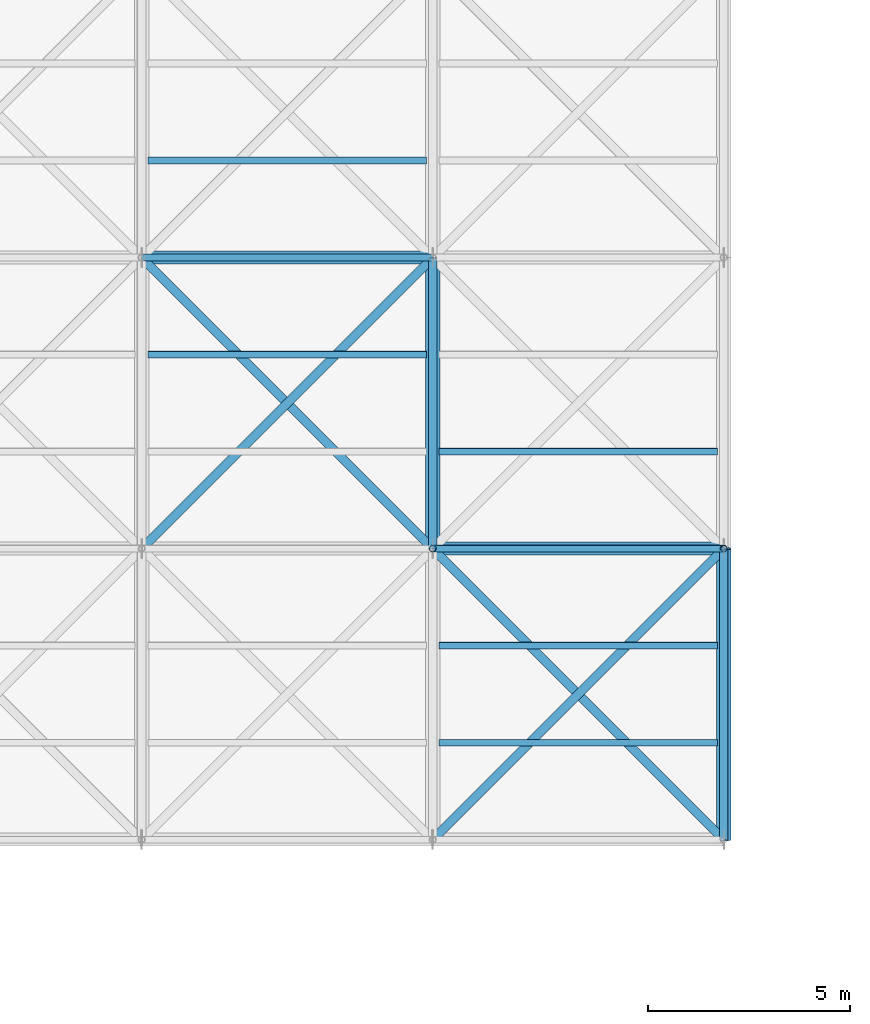
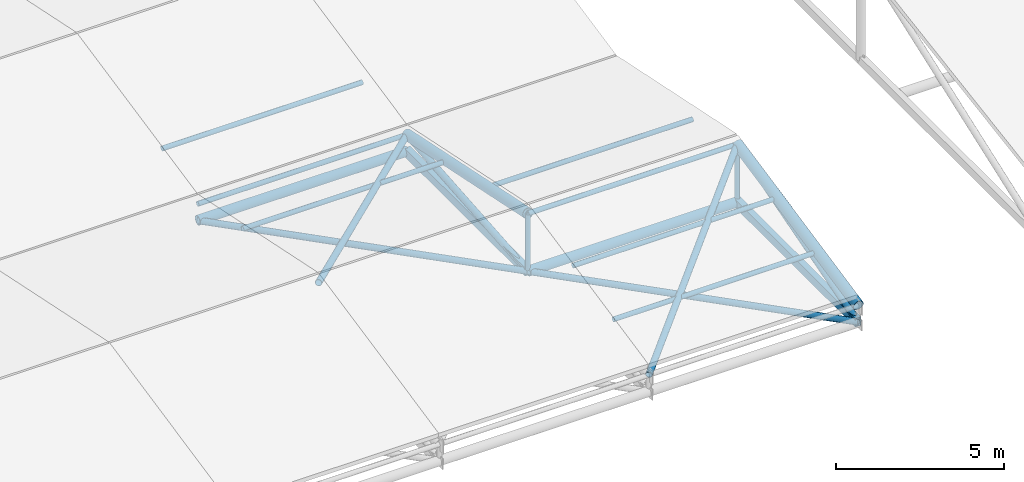
# One storey, part 31 of 72: 17 members, 4 beams.
"""IFC4 building model written with IfcOpenShell, lengths in metres."""

from ifc_helpers import new_model, si_unit, direction, frame, origin, origin_2d, place, context, subcontext, project, spatial, hollow_rectangle, hollow_circle, extrude, material, material_profile, profile_set, type_object, element, save


model = new_model("IFC4")

# Units and contexts
model_context = context("Model", 3, precision=1e-05, world=origin(), true_north=direction((0.0, 1.0)))
body_context = subcontext(model_context, "Body", "Model", "MODEL_VIEW")
ifc_project = project(units=[si_unit("LENGTHUNIT", "METRE"), si_unit("AREAUNIT", "SQUARE_METRE"), si_unit("VOLUMEUNIT", "CUBIC_METRE"), si_unit("PLANEANGLEUNIT", "RADIAN"), si_unit("MASSUNIT", "GRAM", prefix="KILO")], contexts=[model_context])

# Site, building, storey
site_placement = place(None, origin())
site = spatial("IfcSite", under=ifc_project, at=site_placement, CompositionType="ELEMENT")
building_placement = place(site_placement, origin())
building = spatial("IfcBuilding", under=site, at=building_placement, Name="Vaelcorin Mobility Hub", CompositionType="ELEMENT")
storey_placement = place(building_placement, frame((0.0, 0.0, 25.800048828125)))
storey = spatial("IfcBuildingStorey", under=building, at=storey_placement, Name="RF", CompositionType="ELEMENT", Elevation=25.800048828125)

# Members
ifc_material = material(Name="Steel ASTM A500 Grade C", Category="steel")
ifc_material_profile_1 = material_profile(ifc_material, hollow_circle(Radius=0.161865234375, WallThickness=0.0126953125, at=origin_2d()), Name="HSS12.750X0.500")
ifc_profile_set_1 = profile_set([ifc_material_profile_1], Name="Steel ASTM A500 Grade C")
member_type_1 = type_object("IfcMemberType", Name="SF-CHORD-12", PredefinedType="CHORD", material=ifc_profile_set_1)
for number, where, z_axis, x_axis, name in (
    (1, (100.800048828125, 98.39990234375, -2.10009765625), (1.0, 0.0, 0.0), (0.0, 1.0, 0.0), "Sports Truss Lower Tie Strut 10-2"),
    (2, (108.0, 91.199951171875, -2.10009765625), (1.0, 0.0, 0.0), (0.0, 1.0, 0.0), "Sports Truss Lower Tie Strut 11-1"),
):
    element("IfcMember", number, at=place(storey_placement, frame(where, z_axis=z_axis, x_axis=x_axis)), inside=storey, type_object=member_type_1, Name=name, PredefinedType="CHORD", context=body_context, shape_type="SweptSolid", body=[
        extrude(hollow_circle(Radius=0.161865234375, WallThickness=0.0126953125, at=origin_2d()), origin(), (0.0, 0.0, 1.0), 7.199951171875),
    ])
ifc_material_profile_2 = material_profile(ifc_material, hollow_circle(Radius=0.109619140625, WallThickness=0.009521484375, at=origin_2d()), Name="HSS8.625X0.375")
ifc_profile_set_2 = profile_set([ifc_material_profile_2], Name="Steel ASTM A500 Grade C")
member_type_2 = type_object("IfcMemberType", Name="SF-DIAG-8", PredefinedType="BRACE", material=ifc_profile_set_2)
member_1_placement = place(storey_placement, frame((100.800048828125, 91.199951171875, 0.0), z_axis=(0.699556744026, 0.699556744026, -0.145741976715), x_axis=(-0.707106781187, 0.707106781187, 0.0)))
element("IfcMember", 3, at=member_1_placement, inside=storey, type_object=member_type_2, Name="Sports Roof Space-Truss Plan Brace 10-2", PredefinedType="BRACE", context=body_context, shape_type="SweptSolid", body=[
    extrude(hollow_circle(Radius=0.109619140625, WallThickness=0.009521484375, at=origin_2d()), origin(), (0.0, 0.0, 1.0), 10.292236328125),
])
member_2_placement = place(storey_placement, frame((108.0, 91.199951171875, -2.10009765625), z_axis=(-0.707106781187, 0.707106781187, 0.0), x_axis=(-0.707106781187, -0.707106781187, 0.0)))
element("IfcMember", 4, at=member_2_placement, inside=storey, type_object=member_type_2, Name="Sports Truss Lower Plan Brace 10-2", PredefinedType="BRACE", context=body_context, shape_type="SweptSolid", body=[
    extrude(hollow_circle(Radius=0.109619140625, WallThickness=0.009521484375, at=origin_2d()), origin(), (0.0, 0.0, 1.0), 10.182373046875),
])
member_3_placement = place(storey_placement, frame((108.0, 84.0, -1.5), z_axis=(0.699556744026, 0.699556744026, 0.145741976715), x_axis=(-0.707106781187, 0.707106781187, 0.0)))
element("IfcMember", 5, at=member_3_placement, inside=storey, type_object=member_type_2, Name="Sports Roof Space-Truss Plan Brace 11-1", PredefinedType="BRACE", context=body_context, shape_type="SweptSolid", body=[
    extrude(hollow_circle(Radius=0.109619140625, WallThickness=0.009521484375, at=origin_2d()), origin(), (0.0, 0.0, 1.0), 10.292236328125),
])
member_4_placement = place(storey_placement, frame((115.199951171875, 84.0, -2.10009765625), z_axis=(-0.707106781187, 0.707106781187, 0.0), x_axis=(-0.707106781187, -0.707106781187, 0.0)))
element("IfcMember", 6, at=member_4_placement, inside=storey, type_object=member_type_2, Name="Sports Truss Lower Plan Brace 11-1", PredefinedType="BRACE", context=body_context, shape_type="SweptSolid", body=[
    extrude(hollow_circle(Radius=0.109619140625, WallThickness=0.009521484375, at=origin_2d()), origin(), (0.0, 0.0, 1.0), 10.182373046875),
])
ifc_material_profile_3 = material_profile(ifc_material, hollow_circle(Radius=0.084228515625, WallThickness=0.0078125, at=origin_2d()), Name="HSS6.625X0.312")
ifc_profile_set_3 = profile_set([ifc_material_profile_3], Name="Steel ASTM A500 Grade C")
member_type_3 = type_object("IfcMemberType", Name="SF-PURL-6", PredefinedType="PURLIN", material=ifc_profile_set_3)
member_5_placement = place(storey_placement, frame((100.800048828125, 98.39990234375, -1.5), z_axis=(1.0, 0.0, 0.0), x_axis=(0.0, 1.0, 0.0)))
element("IfcMember", 7, at=member_5_placement, inside=storey, type_object=member_type_3, Name="Sports Pavilion Roof Purlin 10-2", PredefinedType="PURLIN", context=body_context, shape_type="SweptSolid", body=[
    extrude(hollow_circle(Radius=0.084228515625, WallThickness=0.0078125, at=origin_2d()), origin(), (0.0, 0.0, 1.0), 7.199951171875),
])
for number, where, z_axis, x_axis, name in (
    (8, (100.9599609375, 96.0, -1.0), (1.0, 0.0, 0.0), (0.0, 1.0, 0.0), "Sports Roof Secondary Purlin 10-2-2"),
    (9, (100.9599609375, 100.800048828125, -1.0), (1.0, 0.0, 0.0), (0.0, 1.0, 0.0), "Sports Roof Secondary Purlin 10-3-1"),
):
    element("IfcMember", number, at=place(storey_placement, frame(where, z_axis=z_axis, x_axis=x_axis)), inside=storey, type_object=member_type_3, Name=name, PredefinedType="PURLIN", context=body_context, shape_type="SweptSolid", body=[
        extrude(hollow_circle(Radius=0.084228515625, WallThickness=0.0078125, at=origin_2d()), origin(), (0.0, 0.0, 1.0), 6.880126953125),
    ])
member_6_placement = place(storey_placement, frame((108.0, 91.199951171875, 0.0), z_axis=(1.0, 0.0, 0.0), x_axis=(0.0, 1.0, 0.0)))
element("IfcMember", 10, at=member_6_placement, inside=storey, type_object=member_type_3, Name="Sports Pavilion Roof Purlin 11-1", PredefinedType="PURLIN", context=body_context, shape_type="SweptSolid", body=[
    extrude(hollow_circle(Radius=0.084228515625, WallThickness=0.0078125, at=origin_2d()), origin(), (0.0, 0.0, 1.0), 7.199951171875),
])
for number, where, z_axis, x_axis, name in (
    (11, (108.159912109375, 86.39990234375, -1.0), (1.0, 0.0, 0.0), (0.0, 1.0, 0.0), "Sports Roof Secondary Purlin 11-1-1"),
    (12, (108.159912109375, 88.800048828125, -0.5), (1.0, 0.0, 0.0), (0.0, 1.0, 0.0), "Sports Roof Secondary Purlin 11-1-2"),
    (13, (108.159912109375, 93.60009765625, -0.5), (1.0, 0.0, 0.0), (0.0, 1.0, 0.0), "Sports Roof Secondary Purlin 11-2-1"),
):
    element("IfcMember", number, at=place(storey_placement, frame(where, z_axis=z_axis, x_axis=x_axis)), inside=storey, type_object=member_type_3, Name=name, PredefinedType="PURLIN", context=body_context, shape_type="SweptSolid", body=[
        extrude(hollow_circle(Radius=0.084228515625, WallThickness=0.0078125, at=origin_2d()), origin(), (0.0, 0.0, 1.0), 6.880126953125),
    ])

# Beams
ifc_material_profile_4 = material_profile(ifc_material, hollow_circle(Radius=0.177734375, WallThickness=0.0126953125, at=origin_2d()), Name="HSS14.000X0.500")
ifc_profile_set_4 = profile_set([ifc_material_profile_4], Name="Steel ASTM A500 Grade C")
beam_type_1 = type_object("IfcBeamType", Name="TR-CHORD-14", PredefinedType="BEAM", material=ifc_profile_set_4)
for number, where, z_axis, x_axis, name in (
    (14, (108.0, 91.199951171875, 0.0), (0.0, 0.978980143565, -0.203955579738), (-1.0, 0.0, 0.0), "Sports Pavilion Roof Truss Upper Chord 10-2"),
    (15, (115.199951171875, 84.0, -1.5), (0.0, 0.978980143565, 0.203955579738), (-1.0, 0.0, 0.0), "Sports Pavilion Roof Truss Upper Chord 11-1"),
):
    element("IfcBeam", number, at=place(storey_placement, frame(where, z_axis=z_axis, x_axis=x_axis)), inside=storey, type_object=beam_type_1, Name=name, PredefinedType="BEAM", context=body_context, shape_type="SweptSolid", body=[
        extrude(hollow_circle(Radius=0.177734375, WallThickness=0.0126953125, at=origin_2d()), origin(), (0.0, 0.0, 1.0), 7.3544921875),
    ])
ifc_material_profile_5 = material_profile(ifc_material, hollow_rectangle(XDim=0.203125, YDim=0.3046875, WallThickness=0.01171875, at=origin_2d()), Name="HSS12X8X0.500")
ifc_profile_set_5 = profile_set([ifc_material_profile_5], Name="Steel ASTM A500 Grade C")
beam_type_2 = type_object("IfcBeamType", Name="TR-CHORD-RHS12", PredefinedType="BEAM", material=ifc_profile_set_5)
for number, where, z_axis, x_axis, name in (
    (16, (108.0, 91.199951171875, -2.10009765625), (0.0, 1.0, 0.0), (-1.0, 0.0, 0.0), "Sports Pavilion Roof Truss Bottom Chord 10-2"),
    (17, (115.199951171875, 84.0, -2.10009765625), (0.0, 1.0, 0.0), (-1.0, 0.0, 0.0), "Sports Pavilion Roof Truss Bottom Chord 11-1"),
):
    element("IfcBeam", number, at=place(storey_placement, frame(where, z_axis=z_axis, x_axis=x_axis)), inside=storey, type_object=beam_type_2, Name=name, PredefinedType="BEAM", context=body_context, shape_type="SweptSolid", body=[
        extrude(hollow_rectangle(XDim=0.203125, YDim=0.3046875, WallThickness=0.01171875, at=origin_2d()), origin(), (0.0, 0.0, 1.0), 7.199951171875),
    ])

# Members
ifc_material_profile_6 = material_profile(ifc_material, hollow_circle(Radius=0.084228515625, WallThickness=0.0078125, at=origin_2d()), Name="HSS6.625X0.312")
ifc_profile_set_6 = profile_set([ifc_material_profile_6], Name="Steel ASTM A500 Grade C")
member_type_4 = type_object("IfcMemberType", Name="TR-POST-6", PredefinedType="POST", material=ifc_profile_set_6)
for number, where, z_axis, x_axis, name in (
    (18, (108.0, 91.199951171875, -2.10009765625), (0.0, 0.0, 1.0), (1.0, 0.0, 0.0), "Sports Pavilion Roof Truss Post 10-1"),
    (19, (115.199951171875, 91.199951171875, -2.10009765625), (0.0, 0.0, 1.0), (1.0, 0.0, 0.0), "Sports Pavilion Roof Truss Post 11-1"),
):
    element("IfcMember", number, at=place(storey_placement, frame(where, z_axis=z_axis, x_axis=x_axis)), inside=storey, type_object=member_type_4, Name=name, PredefinedType="POST", context=body_context, shape_type="SweptSolid", body=[
        extrude(hollow_circle(Radius=0.084228515625, WallThickness=0.0078125, at=origin_2d()), origin(), (0.0, 0.0, 1.0), 2.10009765625),
    ])
ifc_material_profile_7 = material_profile(ifc_material, hollow_circle(Radius=0.109619140625, WallThickness=0.009521484375, at=origin_2d()), Name="HSS8.625X0.375")
ifc_profile_set_7 = profile_set([ifc_material_profile_7], Name="Steel ASTM A500 Grade C")
member_type_5 = type_object("IfcMemberType", Name="TR-WEB-8", PredefinedType="BRACE", material=ifc_profile_set_7)
member_7_placement = place(storey_placement, frame((108.0, 91.199951171875, -2.10009765625), z_axis=(0.0, 0.996544592923, 0.083059462528), x_axis=(-1.0, 0.0, 0.0)))
element("IfcMember", 20, at=member_7_placement, inside=storey, type_object=member_type_5, Name="Sports Pavilion Roof Truss Diagonal 10-2", PredefinedType="BRACE", context=body_context, shape_type="SweptSolid", body=[
    extrude(hollow_circle(Radius=0.109619140625, WallThickness=0.009521484375, at=origin_2d()), origin(), (0.0, 0.0, 1.0), 7.224853515625),
])
member_8_placement = place(storey_placement, frame((115.199951171875, 84.0, -2.10009765625), z_axis=(0.0, 0.959995989474, 0.280013750007), x_axis=(-1.0, 0.0, 0.0)))
element("IfcMember", 21, at=member_8_placement, inside=storey, type_object=member_type_5, Name="Sports Pavilion Roof Truss Diagonal 11-1", PredefinedType="BRACE", context=body_context, shape_type="SweptSolid", body=[
    extrude(hollow_circle(Radius=0.109619140625, WallThickness=0.009521484375, at=origin_2d()), origin(), (0.0, 0.0, 1.0), 7.5),
])

save(model, "model.ifc")
